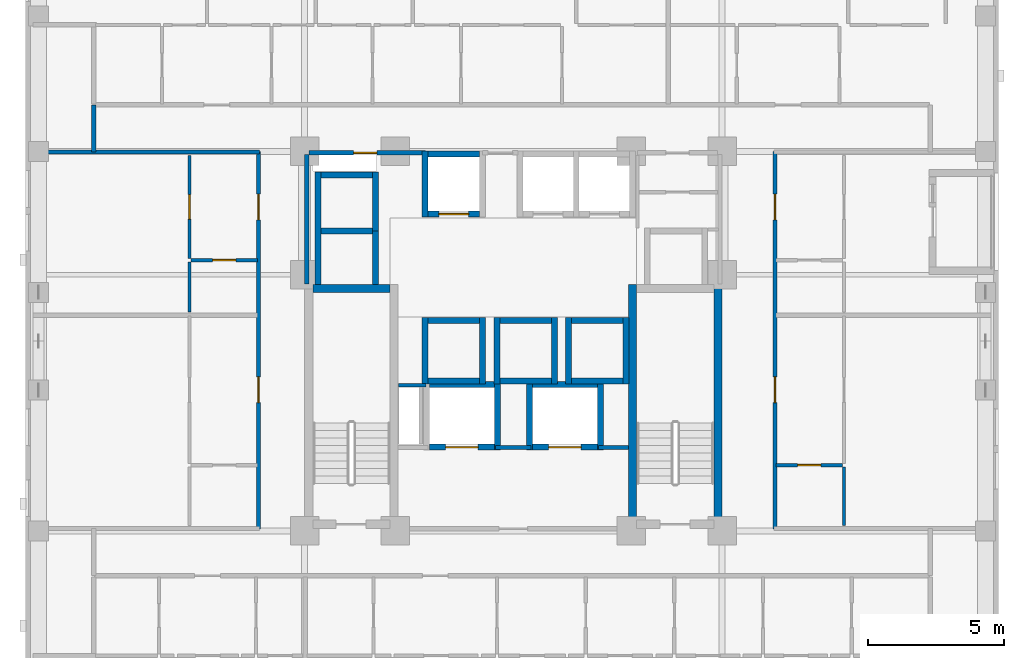
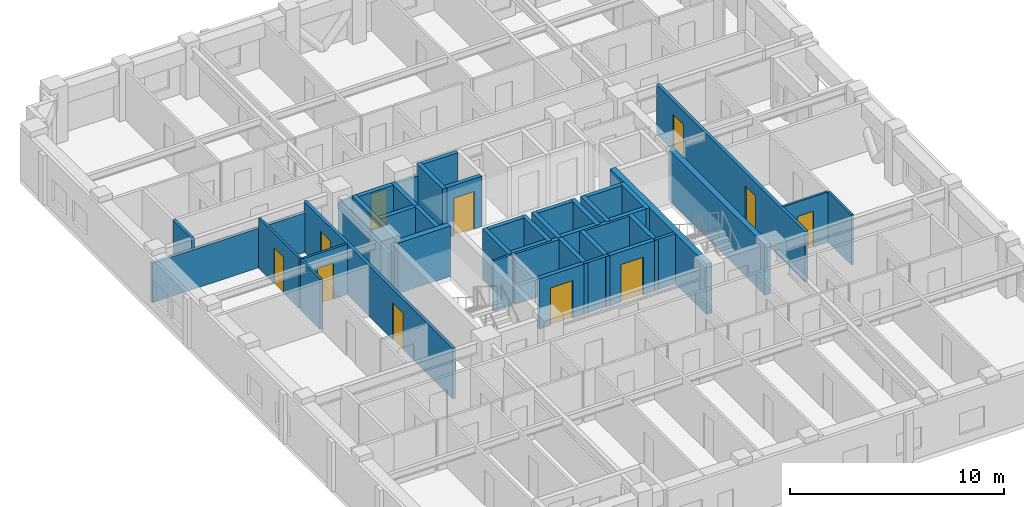
# One storey, part 5 of 12: 44 walls, 11 doors, 11 openings.
"""IFC4 building model written with IfcOpenShell, lengths in metres."""

import ifcopenshell
import ifcopenshell.guid

model = None  # the IFC model being written
_history = None  # IfcOwnerHistory: only IFC2X3 demands one
_inside = {}  # id of a spatial element -> (the spatial element, [elements in it])
_under = {}  # id of a project, library or spatial element -> (it, [spatial elements below it])
_declared = {}  # id of a project -> (the project, [libraries it declares])
_typed = {}  # id of a type object -> (the type object, [elements of that type])
_made_of = {}  # id of a material, layer set ... -> (it, [elements and type objects made of it])


def new_model(schema):
    """Start an empty IFC model of exactly this schema.

    Asked for "IFC4X3", IfcOpenShell would pick the latest addendum, in which some entities
    have other attributes; the version numbers below select the first issue.
    IFC2X3 requires an IfcOwnerHistory on every rooted entity: one is made here for all.
    """
    global model, _history
    if schema == "IFC4X3":
        model = ifcopenshell.file(schema_version=(4, 3, 0, 0))
    else:
        model = ifcopenshell.file(schema=schema)
    _inside.clear()
    _under.clear()
    _declared.clear()
    _typed.clear()
    _made_of.clear()
    _history = None
    if model.schema == "IFC2X3":
        org = make("IfcOrganization", Name="unknown")
        user = make(
            "IfcPersonAndOrganization",
            ThePerson=make("IfcPerson", FamilyName="unknown"),
            TheOrganization=org,
        )
        app = make(
            "IfcApplication",
            ApplicationDeveloper=org,
            Version="unknown",
            ApplicationFullName="unknown",
            ApplicationIdentifier="unknown",
        )
        _history = make(
            "IfcOwnerHistory",
            OwningUser=user,
            OwningApplication=app,
            ChangeAction="ADDED",
            CreationDate=0,
        )
    return model


def make(cls, **values):
    """One entity of the class cls with the attributes given. An attribute that is None is left unset."""
    return model.create_entity(
        cls, **{name: value for name, value in values.items() if value is not None}
    )


def rooted(cls, **values):
    """An entity with a GlobalId (a new one), such as an element, a storey or a relation."""
    return make(cls, GlobalId=ifcopenshell.guid.new(), OwnerHistory=_history, **values)


def si_unit(unit_type, name, prefix=None):
    """IfcSIUnit, for example si_unit("LENGTHUNIT", "METRE", prefix="MILLI")."""
    return make("IfcSIUnit", UnitType=unit_type, Prefix=prefix, Name=name)


def derived_unit(unit_type, elements):
    """IfcDerivedUnit: a product of units, each with its exponent."""
    return make(
        "IfcDerivedUnit",
        Elements=[
            make("IfcDerivedUnitElement", Unit=unit, Exponent=power)
            for unit, power in elements
        ],
        UnitType=unit_type,
    )


def assignment(units):
    """IfcUnitAssignment: the units of a project."""
    return None if units is None else make("IfcUnitAssignment", Units=units)


def point(xyz):
    """IfcCartesianPoint."""
    return None if xyz is None else make("IfcCartesianPoint", Coordinates=xyz)


def direction(xyz):
    """IfcDirection."""
    return None if xyz is None else make("IfcDirection", DirectionRatios=xyz)


def frame(location, z_axis=None, x_axis=None):
    """IfcAxis2Placement3D, a coordinate frame: its origin and axes. An axis left out is left unset."""
    return make(
        "IfcAxis2Placement3D",
        Location=point(location),
        Axis=direction(z_axis),
        RefDirection=direction(x_axis),
    )


def frame_2d(location, x_axis=None):
    """IfcAxis2Placement2D, a coordinate frame in the plane: its origin and x axis."""
    return make(
        "IfcAxis2Placement2D", Location=point(location), RefDirection=direction(x_axis)
    )


def origin():
    """The frame at (0, 0, 0) with its axes left unset."""
    return frame((0.0, 0.0, 0.0))


def place(relative_to, where):
    """IfcLocalPlacement: puts the frame where relative to a parent placement (None: the world)."""
    return make(
        "IfcLocalPlacement", PlacementRelTo=relative_to, RelativePlacement=where
    )


def context(
    kind, dimensions, precision=None, world=None, true_north=None, identifier=None
):
    """IfcGeometricRepresentationContext, for example the 3D "Model" context."""
    return make(
        "IfcGeometricRepresentationContext",
        ContextIdentifier=identifier,
        ContextType=kind,
        CoordinateSpaceDimension=dimensions,
        Precision=precision,
        WorldCoordinateSystem=world,
        TrueNorth=true_north,
    )


def subcontext(parent, identifier, kind, view, scale=None):
    """IfcGeometricRepresentationSubContext, for example "Body" below "Model"."""
    return make(
        "IfcGeometricRepresentationSubContext",
        ContextIdentifier=identifier,
        ContextType=kind,
        ParentContext=parent,
        TargetScale=scale,
        TargetView=view,
    )


def project(units=None, contexts=None):
    """IfcProject with its units and contexts."""
    return rooted(
        "IfcProject",
        Name="project",
        RepresentationContexts=contexts,
        UnitsInContext=assignment(units),
    )


def spatial(cls, under=None, at=None, **own):
    """A site, building, storey or space (cls), placed at a placement, below another one or the project."""
    s = rooted(cls, ObjectPlacement=at, **own)
    if under is not None:
        _under.setdefault(under.id(), (under, []))[1].append(s)
    return s


def profile(cls, at=None, kind="AREA", **sizes):
    """A parametric profile (cls). Its sizes go by their IFC names, for example OverallWidth=200.0."""
    return make(cls, ProfileType=kind, Position=at, **sizes)


def rectangle(**sizes):
    """IfcRectangleProfileDef."""
    return profile("IfcRectangleProfileDef", **sizes)


def extrude(swept, where, along, depth):
    """IfcExtrudedAreaSolid: the profile swept, set in the frame where, extruded along a direction by depth."""
    return make(
        "IfcExtrudedAreaSolid",
        SweptArea=swept,
        Position=where,
        ExtrudedDirection=direction(along),
        Depth=depth,
    )


def shape(context_of_items, identifier, shape_type, items):
    """IfcShapeRepresentation: the items that make up one representation, for example the "Body"."""
    return make(
        "IfcShapeRepresentation",
        ContextOfItems=context_of_items,
        RepresentationIdentifier=identifier,
        RepresentationType=shape_type,
        Items=items,
    )


def material(Name=None, Category=None):
    """IfcMaterial."""
    return make("IfcMaterial", Name=Name, Category=Category)


def layer(
    of_material, thickness, ventilated=None, Name=None, Category=None, Priority=None
):
    """IfcMaterialLayer: one layer of a wall or slab, of a material (None: an air gap)."""
    return make(
        "IfcMaterialLayer",
        Material=of_material,
        LayerThickness=thickness,
        IsVentilated=ventilated,
        Name=Name,
        Category=Category,
        Priority=Priority,
    )


def layer_set(layers, Name=None):
    """IfcMaterialLayerSet."""
    return make("IfcMaterialLayerSet", MaterialLayers=layers, LayerSetName=Name)


def made_of(thing, what):
    """Note that an element or type object is made of a material, layer set ...; save() writes the relation."""
    if what is not None:
        _made_of.setdefault(what.id(), (what, []))[1].append(thing)
    return thing


def type_object(cls, material=None, **own):
    """A type object (cls), such as IfcWallType, which elements share."""
    return made_of(rooted(cls, **own), material)


def element(
    cls,
    number,
    at=None,
    inside=None,
    cuts=None,
    type_object=None,
    material=None,
    context=None,
    identifier="Body",
    shape_type=None,
    held_by="IfcProductDefinitionShape",
    body=None,
    shapes=None,
    **own,
):
    """One element of the class cls, such as IfcWall. Its Tag is "e" and its number.

    at: its placement. inside: the storey or other place that contains it. cuts: it is an
    opening in that element (IfcRelVoidsElement). A single representation is given by context,
    identifier, shape_type and body (its items); several are given by shapes. held_by: the class
    of the entity that holds the representations. save() writes the other relations.
    """
    e = rooted(cls, Tag="e%d" % number, ObjectPlacement=at, **own)
    if body is not None:
        shapes = [shape(context, identifier, shape_type, body)]
    if shapes is not None:
        e.Representation = make(held_by, Representations=shapes)
    if inside is not None:
        _inside.setdefault(inside.id(), (inside, []))[1].append(e)
    if cuts is not None:
        rooted(
            "IfcRelVoidsElement", RelatingBuildingElement=cuts, RelatedOpeningElement=e
        )
    if type_object is not None:
        _typed.setdefault(type_object.id(), (type_object, []))[1].append(e)
    return made_of(e, material)


def fill(opening, filler):
    """IfcRelFillsElement: the door or window that sits in an opening."""
    return rooted(
        "IfcRelFillsElement",
        RelatingOpeningElement=opening,
        RelatedBuildingElement=filler,
    )


def aggregate(whole, parts):
    """IfcRelAggregates: a whole, such as a stair, and the parts it consists of."""
    return rooted("IfcRelAggregates", RelatingObject=whole, RelatedObjects=parts)


def save(model, path):
    """Write the relations noted so far, then the file.

    IfcRelAggregates (storeys below a building ...), IfcRelContainedInSpatialStructure (elements
    in a storey), IfcRelDefinesByType, IfcRelAssociatesMaterial and IfcRelDeclares: one each for
    every whole, place, type object, material and project.
    """
    for whole, parts in _under.values():
        aggregate(whole, parts)
    for where, things in _inside.values():
        rooted(
            "IfcRelContainedInSpatialStructure",
            RelatedElements=things,
            RelatingStructure=where,
        )
    for kind, things in _typed.values():
        rooted("IfcRelDefinesByType", RelatedObjects=things, RelatingType=kind)
    for what, things in _made_of.values():
        rooted("IfcRelAssociatesMaterial", RelatedObjects=things, RelatingMaterial=what)
    for by, libraries in _declared.values():
        rooted("IfcRelDeclares", RelatingContext=by, RelatedDefinitions=libraries)
    model.write(path)


model = new_model("IFC4")

# Units and contexts
model_context = context("Model", 3, precision=1e-05, world=origin(), true_north=direction((0.0, 1.0)))
body_context = subcontext(model_context, "Body", "Model", "MODEL_VIEW")
ifc_project = project(units=[si_unit("LENGTHUNIT", "METRE"), si_unit("AREAUNIT", "SQUARE_METRE"), si_unit("VOLUMEUNIT", "CUBIC_METRE"), si_unit("PLANEANGLEUNIT", "RADIAN"), si_unit("MASSUNIT", "GRAM", prefix="KILO"), derived_unit("THERMALTRANSMITTANCEUNIT", [(si_unit("MASSUNIT", "GRAM", prefix="KILO"), 1), (si_unit("TIMEUNIT", "SECOND"), -3), (si_unit("THERMODYNAMICTEMPERATUREUNIT", "KELVIN"), -1)])], contexts=[model_context])

# Site, building, storey
site_placement = place(None, origin())
site = spatial("IfcSite", under=ifc_project, at=site_placement, CompositionType="ELEMENT")
building_placement = place(site_placement, origin())
building = spatial("IfcBuilding", under=site, at=building_placement, Name="Korrvale Station Residences", CompositionType="ELEMENT")
storey_placement = place(building_placement, frame((0.0, 0.0, 116.699951171875)))
storey = spatial("IfcBuildingStorey", under=building, at=storey_placement, Name="L33", CompositionType="ELEMENT", Elevation=116.699951171875)

# Walls
ifc_material_1 = material(Name="Concrete C60/75", Category="concrete")
ifc_layer_1 = layer(ifc_material_1, 0.300048828125, Name="Concrete C60/75")
ifc_layer_set_1 = layer_set([ifc_layer_1], Name="Concrete C60/75")
wall_type_1 = type_object("IfcWallType", Name="WAL-CORE-300-C60", PredefinedType="SHEAR", material=ifc_layer_set_1)
wall_1_placement = place(storey_placement, frame((18.10009765625, 23.949951171875, 0.0), z_axis=(0.0, 0.0, 1.0), x_axis=(1.0, 0.0, 0.0)))
element("IfcWall", 1, at=wall_1_placement, inside=storey, type_object=wall_type_1, Name="L33 ST-1 Core Shear Wall North", PredefinedType="SHEAR", context=body_context, shape_type="SweptSolid", body=[
    extrude(rectangle(XDim=2.849853515625, YDim=0.300048828125, at=frame_2d((1.4248046875, 0.0))), origin(), (0.0, 0.0, 1.0), 2.880126953125),
])
for number, where, z_axis, x_axis, name in (
    (2, (29.89990234375, 15.10009765625, 0.0), (0.0, 0.0, 1.0), (0.0, 1.0, 0.0), "L33 ST-2 Core Shear Wall West"),
    (3, (33.050048828125, 15.10009765625, 0.0), (0.0, 0.0, 1.0), (0.0, 1.0, 0.0), "L33 ST-2 Core Shear Wall East"),
):
    element("IfcWall", number, at=place(storey_placement, frame(where, z_axis=z_axis, x_axis=x_axis)), inside=storey, type_object=wall_type_1, Name=name, PredefinedType="SHEAR", context=body_context, shape_type="SweptSolid", body=[
        extrude(rectangle(XDim=9.0, YDim=0.300048828125, at=frame_2d((4.5, 0.0))), origin(), (0.0, 0.0, 1.0), 2.880126953125),
    ])
ifc_material_2 = material(Name="Acoustic steel-stud gypsum board partition", Category="steel")
ifc_layer_2 = layer(ifc_material_2, 0.1201171875, Name="Acoustic steel-stud gypsum board partition")
ifc_layer_set_2 = layer_set([ifc_layer_2], Name="Acoustic steel-stud gypsum board partition")
wall_type_2 = type_object("IfcWallType", Name="WAL-PART-125", PredefinedType="PARTITIONING", material=ifc_layer_set_2)
wall_2_placement = place(storey_placement, frame((22.280029296875, 20.3798828125, 0.0), z_axis=(0.0, 0.0, 1.0), x_axis=(-1.0, 0.0, 0.0)))
element("IfcWall", 4, at=wall_2_placement, inside=storey, type_object=wall_type_2, Name="L33 Core Partition CW-RSWT-N", PredefinedType="PARTITIONING", context=body_context, shape_type="SweptSolid", body=[
    extrude(rectangle(XDim=1.02001953125, YDim=0.1201171875, at=frame_2d((0.510009765625, 0.0))), origin(), (0.0, 0.0, 1.0), 2.880126953125),
])

# Wall, opening, door
wall_3_placement = place(storey_placement, frame((13.610107421875, 24.991943359375, 0.0), z_axis=(0.0, 0.0, 1.0), x_axis=(1.0, 0.0, 0.0)))
wall_3 = element("IfcWall", 5, at=wall_3_placement, inside=storey, type_object=wall_type_2, Name="L33 Suite Partition U06-H01", PredefinedType="PARTITIONING", context=body_context, shape_type="SweptSolid", body=[
    extrude(rectangle(XDim=2.449951171875, YDim=0.1201171875, at=frame_2d((1.22509765625, 0.0))), origin(), (0.0, 0.0, 1.0), 2.880126953125),
])
opening_1_placement = place(wall_3_placement, frame((0.794921875, 0.0, 0.0)))
opening_1 = element("IfcOpeningElement", 6, at=opening_1_placement, cuts=wall_3, Name="Opening DB-860", PredefinedType="OPENING", context=body_context, shape_type="SweptSolid", body=[
    extrude(rectangle(XDim=0.860107421875, YDim=2.050048828125, at=frame_2d((0.43017578125, 1.02490234375))), frame((0.0, 0.070068359375, 0.0), z_axis=(0.0, -1.0, 0.0), x_axis=(1.0, 0.0, 0.0)), (0.0, 0.0, 1.0), 0.14013671875),
])
ifc_material_3 = material(Name="Moisture-resistant solid-core bathroom door", Category="timber")
door_type_1 = type_object("IfcDoorType", Name="DR-BATH-860", OperationType="NOTDEFINED", PredefinedType="DOOR", material=ifc_material_3)
door_1_placement = place(opening_1_placement, origin())
door_1 = element("IfcDoor", 7, at=door_1_placement, inside=storey, type_object=door_type_1, Name="L33 Studio Apartment L33-U06 Bathroom Door", OperationType="SINGLE_SWING_LEFT", OverallHeight=2.050048828125, OverallWidth=0.860107421875, PredefinedType="DOOR", context=body_context, shape_type="SweptSolid", body=[
    extrude(rectangle(XDim=0.860107421875, YDim=2.050048828125, at=frame_2d((0.43017578125, 1.02490234375))), frame((0.0, 0.02490234375, 0.0), z_axis=(0.0, -1.0, 0.0), x_axis=(1.0, 0.0, 0.0)), (0.0, 0.0, 1.0), 0.050048828125),
])
fill(opening_1, door_1)

# Wall
wall_4_placement = place(storey_placement, frame((13.550048828125, 23.08203125, 0.0), z_axis=(0.0, 0.0, 1.0), x_axis=(0.0, 1.0, 0.0)))
element("IfcWall", 8, at=wall_4_placement, inside=storey, type_object=wall_type_2, Name="L33 Suite Partition U06-V02", PredefinedType="PARTITIONING", context=body_context, shape_type="SweptSolid", body=[
    extrude(rectangle(XDim=1.849853515625, YDim=0.1201171875, at=frame_2d((0.9248046875, 0.0))), origin(), (0.0, 0.0, 1.0), 2.880126953125),
])

# Wall, opening, door
wall_5_placement = place(storey_placement, frame((13.550048828125, 25.052001953125, 0.0), z_axis=(0.0, 0.0, 1.0), x_axis=(0.0, 1.0, 0.0)))
wall_5 = element("IfcWall", 9, at=wall_5_placement, inside=storey, type_object=wall_type_2, Name="L33 Suite Partition U06-V12", PredefinedType="PARTITIONING", context=body_context, shape_type="SweptSolid", body=[
    extrude(rectangle(XDim=3.80810546875, YDim=0.1201171875, at=frame_2d((1.904052734375, 0.0))), origin(), (0.0, 0.0, 1.0), 2.880126953125),
])
opening_2_placement = place(wall_5_placement, frame((1.4541015625, 0.0, 0.0)))
opening_2 = element("IfcOpeningElement", 10, at=opening_2_placement, cuts=wall_5, Name="Opening DI-900", PredefinedType="OPENING", context=body_context, shape_type="SweptSolid", body=[
    extrude(rectangle(XDim=0.89990234375, YDim=2.050048828125, at=frame_2d((0.449951171875, 1.02490234375))), frame((0.0, 0.070068359375, 0.0), z_axis=(0.0, -1.0, 0.0), x_axis=(1.0, 0.0, 0.0)), (0.0, 0.0, 1.0), 0.14013671875),
])
ifc_material_4 = material(Name="Painted solid-core timber interior room door", Category="wood")
door_type_2 = type_object("IfcDoorType", Name="DR-INT-900", OperationType="NOTDEFINED", PredefinedType="DOOR", material=ifc_material_4)
door_2_placement = place(opening_2_placement, origin())
door_2 = element("IfcDoor", 11, at=door_2_placement, inside=storey, type_object=door_type_2, Name="L33 Studio Apartment L33-U06 Kitchen Door", OperationType="SINGLE_SWING_RIGHT", OverallHeight=2.050048828125, OverallWidth=0.89990234375, PredefinedType="DOOR", context=body_context, shape_type="SweptSolid", body=[
    extrude(rectangle(XDim=0.89990234375, YDim=2.050048828125, at=frame_2d((0.449951171875, 1.02490234375))), frame((0.0, 0.02490234375, 0.0), z_axis=(0.0, -1.0, 0.0), x_axis=(1.0, 0.0, 0.0)), (0.0, 0.0, 1.0), 0.050048828125),
])
fill(opening_2, door_2)

wall_6_placement = place(storey_placement, frame((35.18994140625, 17.428955078125, 0.0), z_axis=(0.0, 0.0, 1.0), x_axis=(1.0, 0.0, 0.0)))
wall_6 = element("IfcWall", 12, at=wall_6_placement, inside=storey, type_object=wall_type_2, Name="L33 Suite Partition U07-H01", PredefinedType="PARTITIONING", context=body_context, shape_type="SweptSolid", body=[
    extrude(rectangle(XDim=2.449951171875, YDim=0.1201171875, at=frame_2d((1.22509765625, 0.0))), origin(), (0.0, 0.0, 1.0), 2.880126953125),
])
opening_3_placement = place(wall_6_placement, frame((0.794921875, 0.0, 0.0)))
opening_3 = element("IfcOpeningElement", 13, at=opening_3_placement, cuts=wall_6, Name="Opening DB-860", PredefinedType="OPENING", context=body_context, shape_type="SweptSolid", body=[
    extrude(rectangle(XDim=0.860107421875, YDim=2.050048828125, at=frame_2d((0.43017578125, 1.02490234375))), frame((0.0, 0.070068359375, 0.0), z_axis=(0.0, -1.0, 0.0), x_axis=(1.0, 0.0, 0.0)), (0.0, 0.0, 1.0), 0.14013671875),
])
door_3_placement = place(opening_3_placement, origin())
door_3 = element("IfcDoor", 14, at=door_3_placement, inside=storey, type_object=door_type_1, Name="L33 Studio Apartment L33-U07 Bathroom Door", OperationType="SINGLE_SWING_LEFT", OverallHeight=2.050048828125, OverallWidth=0.860107421875, PredefinedType="DOOR", context=body_context, shape_type="SweptSolid", body=[
    extrude(rectangle(XDim=0.860107421875, YDim=2.050048828125, at=frame_2d((0.43017578125, 1.02490234375))), frame((0.0, 0.02490234375, 0.0), z_axis=(0.0, -1.0, 0.0), x_axis=(1.0, 0.0, 0.0)), (0.0, 0.0, 1.0), 0.050048828125),
])
fill(opening_3, door_3)

# Walls
wall_7_placement = place(storey_placement, frame((37.699951171875, 15.2099609375, 0.0), z_axis=(0.0, 0.0, 1.0), x_axis=(0.0, 1.0, 0.0)))
element("IfcWall", 15, at=wall_7_placement, inside=storey, type_object=wall_type_2, Name="L33 Suite Partition U07-V02", PredefinedType="PARTITIONING", context=body_context, shape_type="SweptSolid", body=[
    extrude(rectangle(XDim=2.158935546875, YDim=0.1201171875, at=frame_2d((1.07958984375, 0.0))), origin(), (0.0, 0.0, 1.0), 2.880126953125),
])
ifc_material_5 = material(Name="Fire-rated twin-stud gypsum and mineral wool shaftwall assembly", Category="gypsum")
ifc_layer_3 = layer(ifc_material_5, 0.159912109375, Name="Fire-rated twin-stud gypsum and mineral wool shaftwall assembly")
ifc_layer_set_3 = layer_set([ifc_layer_3], Name="Fire-rated twin-stud gypsum and mineral wool shaftwall assembly")
wall_type_3 = type_object("IfcWallType", Name="WAL-PART-200", PredefinedType="PARTITIONING", material=ifc_layer_set_3)
wall_8_placement = place(storey_placement, frame((24.85009765625, 18.080078125, 0.0), z_axis=(0.0, 0.0, 1.0), x_axis=(1.0, 0.0, 0.0)))
element("IfcWall", 16, at=wall_8_placement, inside=storey, type_object=wall_type_3, Name="L33 Core Partition CW-FFL-N2", PredefinedType="PARTITIONING", context=body_context, shape_type="SweptSolid", body=[
    extrude(rectangle(XDim=1.2998046875, YDim=0.159912109375, at=frame_2d((0.64990234375, 0.0))), origin(), (0.0, 0.0, 1.0), 2.880126953125),
])
wall_9_placement = place(storey_placement, frame((28.64990234375, 18.080078125, 0.0), z_axis=(0.0, 0.0, 1.0), x_axis=(1.0, 0.0, 0.0)))
element("IfcWall", 17, at=wall_9_placement, inside=storey, type_object=wall_type_3, Name="L33 Core Partition CW-FFL-N3", PredefinedType="PARTITIONING", context=body_context, shape_type="SweptSolid", body=[
    extrude(rectangle(XDim=1.10009765625, YDim=0.159912109375, at=frame_2d((0.550048828125, 0.0))), origin(), (0.0, 0.0, 1.0), 2.880126953125),
])
wall_10_placement = place(storey_placement, frame((17.8798828125, 24.1201171875, 0.0), z_axis=(0.0, 0.0, 1.0), x_axis=(0.0, 1.0, 0.0)))
element("IfcWall", 18, at=wall_10_placement, inside=storey, type_object=wall_type_3, Name="L33 Core Partition CW-W-N", PredefinedType="PARTITIONING", context=body_context, shape_type="SweptSolid", body=[
    extrude(rectangle(XDim=4.759765625, YDim=0.159912109375, at=frame_2d((2.3798828125, 0.0))), origin(), (0.0, 0.0, 1.0), 2.215087890625),
])

# Wall, opening, door
wall_11_placement = place(storey_placement, frame((17.9599609375, 28.949951171875, 0.0), z_axis=(0.0, 0.0, 1.0), x_axis=(1.0, 0.0, 0.0)))
wall_11 = element("IfcWall", 19, at=wall_11_placement, inside=storey, type_object=wall_type_3, Name="L33 Core Partition CW-NW", PredefinedType="PARTITIONING", context=body_context, shape_type="SweptSolid", body=[
    extrude(rectangle(XDim=4.2900390625, YDim=0.159912109375, at=frame_2d((2.14501953125, 0.0))), origin(), (0.0, 0.0, 1.0), 2.2529296875),
])
opening_4_placement = place(wall_11_placement, frame((1.64501953125, 0.0, 0.0)))
opening_4 = element("IfcOpeningElement", 20, at=opening_4_placement, cuts=wall_11, Name="Opening DB-860", PredefinedType="OPENING", context=body_context, shape_type="SweptSolid", body=[
    extrude(rectangle(XDim=0.860107421875, YDim=2.050048828125, at=frame_2d((0.43017578125, 1.02490234375))), frame((0.0, 0.08984375, 0.0), z_axis=(0.0, -1.0, 0.0), x_axis=(1.0, 0.0, 0.0)), (0.0, 0.0, 1.0), 0.179931640625),
])
door_4_placement = place(opening_4_placement, origin())
door_4 = element("IfcDoor", 21, at=door_4_placement, inside=storey, type_object=door_type_1, Name="L33 Electrical Riser Access Door", OperationType="SINGLE_SWING_LEFT", OverallHeight=2.050048828125, OverallWidth=0.860107421875, PredefinedType="DOOR", context=body_context, shape_type="SweptSolid", body=[
    extrude(rectangle(XDim=0.860107421875, YDim=2.050048828125, at=frame_2d((0.43017578125, 1.02490234375))), frame((0.0, 0.02490234375, 0.0), z_axis=(0.0, -1.0, 0.0), x_axis=(1.0, 0.0, 0.0)), (0.0, 0.0, 1.0), 0.050048828125),
])
fill(opening_4, door_4)

# Walls
wall_12_placement = place(storey_placement, frame((10.02001953125, 28.97998046875, 0.0), z_axis=(0.0, 0.0, 1.0), x_axis=(0.0, 1.0, 0.0)))
element("IfcWall", 22, at=wall_12_placement, inside=storey, type_object=wall_type_3, Name="L33 Corridor North West Cap", PredefinedType="PARTITIONING", context=body_context, shape_type="SweptSolid", body=[
    extrude(rectangle(XDim=1.739990234375, YDim=0.159912109375, at=frame_2d((0.8701171875, 0.0))), origin(), (0.0, 0.0, 1.0), 2.880126953125),
])
wall_13_placement = place(storey_placement, frame((7.780029296875, 28.97998046875, 0.0), z_axis=(0.0, 0.0, 1.0), x_axis=(1.0, 0.0, 0.0)))
element("IfcWall", 23, at=wall_13_placement, inside=storey, type_object=wall_type_3, Name="L33 West Wing North Corridor Wall", PredefinedType="PARTITIONING", context=body_context, shape_type="SweptSolid", body=[
    extrude(rectangle(XDim=8.35986328125, YDim=0.159912109375, at=frame_2d((4.179931640625, 0.0))), origin(), (0.0, 0.0, 1.0), 2.2529296875),
])

# Wall, openings, doors
wall_14_placement = place(storey_placement, frame((16.10009765625, 15.070068359375, 0.0), z_axis=(0.0, 0.0, 1.0), x_axis=(0.0, 1.0, 0.0)))
wall_14 = element("IfcWall", 24, at=wall_14_placement, inside=storey, type_object=wall_type_3, Name="L33 Rated Corridor Wall W", PredefinedType="PARTITIONING", context=body_context, shape_type="SweptSolid", body=[
    extrude(rectangle(XDim=13.929931640625, YDim=0.159912109375, at=frame_2d((6.96484375, 0.0))), origin(), (0.0, 0.0, 1.0), 2.880126953125),
])
opening_5_placement = place(wall_14_placement, frame((4.660888671875, 0.0, 0.0)))
opening_5 = element("IfcOpeningElement", 25, at=opening_5_placement, cuts=wall_14, Name="Opening UD-950", PredefinedType="OPENING", context=body_context, shape_type="SweptSolid", body=[
    extrude(rectangle(XDim=0.949951171875, YDim=2.10009765625, at=frame_2d((0.47509765625, 1.050048828125))), frame((0.0, 0.08984375, 0.0), z_axis=(0.0, -1.0, 0.0), x_axis=(1.0, 0.0, 0.0)), (0.0, 0.0, 1.0), 0.179931640625),
])
opening_6_placement = place(wall_14_placement, frame((11.410888671875, 0.0, 0.0)))
opening_6 = element("IfcOpeningElement", 26, at=opening_6_placement, cuts=wall_14, Name="Opening UD-950", PredefinedType="OPENING", context=body_context, shape_type="SweptSolid", body=[
    extrude(rectangle(XDim=0.949951171875, YDim=2.10009765625, at=frame_2d((0.47509765625, 1.050048828125))), frame((0.0, 0.08984375, 0.0), z_axis=(0.0, -1.0, 0.0), x_axis=(1.0, 0.0, 0.0)), (0.0, 0.0, 1.0), 0.179931640625),
])
ifc_material_6 = material(Name="Solid-core acoustic oak apartment entrance door", Category="timber")
door_type_3 = type_object("IfcDoorType", Name="DR-UNIT-950", OperationType="NOTDEFINED", PredefinedType="DOOR", material=ifc_material_6)
door_5_placement = place(opening_5_placement, origin())
door_5 = element("IfcDoor", 27, at=door_5_placement, inside=storey, type_object=door_type_3, Name="L33 Apartment L33-U05 Entrance Door", OperationType="SINGLE_SWING_LEFT", OverallHeight=2.10009765625, OverallWidth=0.949951171875, PredefinedType="DOOR", context=body_context, shape_type="SweptSolid", body=[
    extrude(rectangle(XDim=0.949951171875, YDim=2.10009765625, at=frame_2d((0.47509765625, 1.050048828125))), frame((0.0, 0.02490234375, 0.0), z_axis=(0.0, -1.0, 0.0), x_axis=(1.0, 0.0, 0.0)), (0.0, 0.0, 1.0), 0.050048828125),
])
fill(opening_5, door_5)
door_6_placement = place(opening_6_placement, origin())
door_6 = element("IfcDoor", 28, at=door_6_placement, inside=storey, type_object=door_type_3, Name="L33 Apartment L33-U06 Entrance Door", OperationType="SINGLE_SWING_RIGHT", OverallHeight=2.10009765625, OverallWidth=0.949951171875, PredefinedType="DOOR", context=body_context, shape_type="SweptSolid", body=[
    extrude(rectangle(XDim=0.949951171875, YDim=2.10009765625, at=frame_2d((0.47509765625, 1.050048828125))), frame((0.0, 0.02490234375, 0.0), z_axis=(0.0, -1.0, 0.0), x_axis=(1.0, 0.0, 0.0)), (0.0, 0.0, 1.0), 0.050048828125),
])
fill(opening_6, door_6)

wall_15_placement = place(storey_placement, frame((35.14990234375, 15.070068359375, 0.0), z_axis=(0.0, 0.0, 1.0), x_axis=(0.0, 1.0, 0.0)))
wall_15 = element("IfcWall", 29, at=wall_15_placement, inside=storey, type_object=wall_type_3, Name="L33 Rated Corridor Wall E", PredefinedType="PARTITIONING", context=body_context, shape_type="SweptSolid", body=[
    extrude(rectangle(XDim=13.929931640625, YDim=0.159912109375, at=frame_2d((6.96484375, 0.0))), origin(), (0.0, 0.0, 1.0), 2.880126953125),
])
opening_7_placement = place(wall_15_placement, frame((4.660888671875, 0.0, 0.0)))
opening_7 = element("IfcOpeningElement", 30, at=opening_7_placement, cuts=wall_15, Name="Opening UD-950", PredefinedType="OPENING", context=body_context, shape_type="SweptSolid", body=[
    extrude(rectangle(XDim=0.949951171875, YDim=2.10009765625, at=frame_2d((0.47509765625, 1.050048828125))), frame((0.0, 0.08984375, 0.0), z_axis=(0.0, -1.0, 0.0), x_axis=(1.0, 0.0, 0.0)), (0.0, 0.0, 1.0), 0.179931640625),
])
opening_8_placement = place(wall_15_placement, frame((11.410888671875, 0.0, 0.0)))
opening_8 = element("IfcOpeningElement", 31, at=opening_8_placement, cuts=wall_15, Name="Opening UD-950", PredefinedType="OPENING", context=body_context, shape_type="SweptSolid", body=[
    extrude(rectangle(XDim=0.949951171875, YDim=2.10009765625, at=frame_2d((0.47509765625, 1.050048828125))), frame((0.0, 0.08984375, 0.0), z_axis=(0.0, -1.0, 0.0), x_axis=(1.0, 0.0, 0.0)), (0.0, 0.0, 1.0), 0.179931640625),
])
door_7_placement = place(opening_7_placement, origin())
door_7 = element("IfcDoor", 32, at=door_7_placement, inside=storey, type_object=door_type_3, Name="L33 Apartment L33-U07 Entrance Door", OperationType="SINGLE_SWING_LEFT", OverallHeight=2.10009765625, OverallWidth=0.949951171875, PredefinedType="DOOR", context=body_context, shape_type="SweptSolid", body=[
    extrude(rectangle(XDim=0.949951171875, YDim=2.10009765625, at=frame_2d((0.47509765625, 1.050048828125))), frame((0.0, 0.02490234375, 0.0), z_axis=(0.0, -1.0, 0.0), x_axis=(1.0, 0.0, 0.0)), (0.0, 0.0, 1.0), 0.050048828125),
])
fill(opening_7, door_7)
door_8_placement = place(opening_8_placement, origin())
door_8 = element("IfcDoor", 33, at=door_8_placement, inside=storey, type_object=door_type_3, Name="L33 Apartment L33-U08 Entrance Door", OperationType="SINGLE_SWING_RIGHT", OverallHeight=2.10009765625, OverallWidth=0.949951171875, PredefinedType="DOOR", context=body_context, shape_type="SweptSolid", body=[
    extrude(rectangle(XDim=0.949951171875, YDim=2.10009765625, at=frame_2d((0.47509765625, 1.050048828125))), frame((0.0, 0.02490234375, 0.0), z_axis=(0.0, -1.0, 0.0), x_axis=(1.0, 0.0, 0.0)), (0.0, 0.0, 1.0), 0.050048828125),
])
fill(opening_8, door_8)

# Wall, opening, door
ifc_layer_4 = layer(ifc_material_1, 0.219970703125, Name="Concrete C60/75")
ifc_layer_set_4 = layer_set([ifc_layer_4], Name="Concrete C60/75")
wall_type_4 = type_object("IfcWallType", Name="WAL-SHAFT-220-C60", PredefinedType="SHEAR", material=ifc_layer_set_4)
wall_16_placement = place(storey_placement, frame((22.35009765625, 26.68994140625, 0.0), z_axis=(0.0, 0.0, 1.0), x_axis=(1.0, 0.0, 0.0)))
wall_16 = element("IfcWall", 34, at=wall_16_placement, inside=storey, type_object=wall_type_4, Name="L33 Elevator PL-1 Hoistway Wall South", PredefinedType="SHEAR", context=body_context, shape_type="SweptSolid", body=[
    extrude(rectangle(XDim=1.89990234375, YDim=0.219970703125, at=frame_2d((0.949951171875, 0.0))), origin(), (0.0, 0.0, 1.0), 2.880126953125),
])
opening_9_placement = place(wall_16_placement, frame((0.39990234375, 0.0, 0.0)))
opening_9 = element("IfcOpeningElement", 35, at=opening_9_placement, cuts=wall_16, Name="Opening LD-1100", PredefinedType="OPENING", context=body_context, shape_type="SweptSolid", body=[
    extrude(rectangle(XDim=1.10009765625, YDim=2.14990234375, at=frame_2d((0.550048828125, 1.074951171875))), frame((0.0, 0.1201171875, 0.0), z_axis=(0.0, -1.0, 0.0), x_axis=(1.0, 0.0, 0.0)), (0.0, 0.0, 1.0), 0.239990234375),
])
ifc_material_7 = material(Name="Brushed stainless-steel elevator landing sliding door", Category="steel")
door_type_4 = type_object("IfcDoorType", Name="DR-LIFT-1100", OperationType="SLIDING_TO_LEFT", PredefinedType="DOOR", material=ifc_material_7)
door_9_placement = place(opening_9_placement, origin())
door_9 = element("IfcDoor", 36, at=door_9_placement, inside=storey, type_object=door_type_4, Name="L33 Elevator PL-1 Sliding Landing Door", OperationType="SLIDING_TO_LEFT", OverallHeight=2.14990234375, OverallWidth=1.10009765625, PredefinedType="DOOR", context=body_context, shape_type="SweptSolid", body=[
    extrude(rectangle(XDim=1.10009765625, YDim=2.14990234375, at=frame_2d((0.550048828125, 1.074951171875))), frame((0.0, 0.02490234375, 0.0), z_axis=(0.0, -1.0, 0.0), x_axis=(1.0, 0.0, 0.0)), (0.0, 0.0, 1.0), 0.050048828125),
])
fill(opening_9, door_9)

# Walls
wall_17_placement = place(storey_placement, frame((22.35009765625, 28.909912109375, 0.0), z_axis=(0.0, 0.0, 1.0), x_axis=(1.0, 0.0, 0.0)))
element("IfcWall", 37, at=wall_17_placement, inside=storey, type_object=wall_type_4, Name="L33 Elevator PL-1 Hoistway Wall North", PredefinedType="SHEAR", context=body_context, shape_type="SweptSolid", body=[
    extrude(rectangle(XDim=1.89990234375, YDim=0.219970703125, at=frame_2d((0.949951171875, 0.0))), origin(), (0.0, 0.0, 1.0), 2.880126953125),
])
wall_18_placement = place(storey_placement, frame((22.239990234375, 26.580078125, 0.0), z_axis=(0.0, 0.0, 1.0), x_axis=(0.0, 1.0, 0.0)))
element("IfcWall", 38, at=wall_18_placement, inside=storey, type_object=wall_type_4, Name="L33 Elevator PL-1 Hoistway Wall West", PredefinedType="SHEAR", context=body_context, shape_type="SweptSolid", body=[
    extrude(rectangle(XDim=2.43994140625, YDim=0.219970703125, at=frame_2d((1.219970703125, 0.0))), origin(), (0.0, 0.0, 1.0), 2.880126953125),
])
for number, where, z_axis, x_axis, name in (
    (39, (22.35009765625, 20.5400390625, 0.0), (0.0, 0.0, 1.0), (1.0, 0.0, 0.0), "L33 Elevator PM-1 Hoistway Wall South"),
    (40, (22.35009765625, 22.760009765625, 0.0), (0.0, 0.0, 1.0), (1.0, 0.0, 0.0), "L33 Elevator PM-1 Hoistway Wall North"),
):
    element("IfcWall", number, at=place(storey_placement, frame(where, z_axis=z_axis, x_axis=x_axis)), inside=storey, type_object=wall_type_4, Name=name, PredefinedType="SHEAR", context=body_context, shape_type="SweptSolid", body=[
        extrude(rectangle(XDim=1.89990234375, YDim=0.219970703125, at=frame_2d((0.949951171875, 0.0))), origin(), (0.0, 0.0, 1.0), 2.880126953125),
    ])
for number, where, z_axis, x_axis, name in (
    (41, (22.239990234375, 20.429931640625, 0.0), (0.0, 0.0, 1.0), (0.0, 1.0, 0.0), "L33 Elevator PM-1 Hoistway Wall West"),
    (42, (24.360107421875, 20.429931640625, 0.0), (0.0, 0.0, 1.0), (0.0, 1.0, 0.0), "L33 Elevator PM-1 Hoistway Wall East"),
):
    element("IfcWall", number, at=place(storey_placement, frame(where, z_axis=z_axis, x_axis=x_axis)), inside=storey, type_object=wall_type_4, Name=name, PredefinedType="SHEAR", context=body_context, shape_type="SweptSolid", body=[
        extrude(rectangle(XDim=2.440185546875, YDim=0.219970703125, at=frame_2d((1.22021484375, 0.0))), origin(), (0.0, 0.0, 1.0), 2.880126953125),
    ])
for number, where, z_axis, x_axis, name in (
    (43, (25.0, 20.5400390625, 0.0), (0.0, 0.0, 1.0), (1.0, 0.0, 0.0), "L33 Elevator PM-2 Hoistway Wall South"),
    (44, (25.0, 22.760009765625, 0.0), (0.0, 0.0, 1.0), (1.0, 0.0, 0.0), "L33 Elevator PM-2 Hoistway Wall North"),
):
    element("IfcWall", number, at=place(storey_placement, frame(where, z_axis=z_axis, x_axis=x_axis)), inside=storey, type_object=wall_type_4, Name=name, PredefinedType="SHEAR", context=body_context, shape_type="SweptSolid", body=[
        extrude(rectangle(XDim=1.89990234375, YDim=0.219970703125, at=frame_2d((0.949951171875, 0.0))), origin(), (0.0, 0.0, 1.0), 2.880126953125),
    ])
for number, where, z_axis, x_axis, name in (
    (45, (24.889892578125, 20.429931640625, 0.0), (0.0, 0.0, 1.0), (0.0, 1.0, 0.0), "L33 Elevator PM-2 Hoistway Wall West"),
    (46, (27.010009765625, 20.429931640625, 0.0), (0.0, 0.0, 1.0), (0.0, 1.0, 0.0), "L33 Elevator PM-2 Hoistway Wall East"),
):
    element("IfcWall", number, at=place(storey_placement, frame(where, z_axis=z_axis, x_axis=x_axis)), inside=storey, type_object=wall_type_4, Name=name, PredefinedType="SHEAR", context=body_context, shape_type="SweptSolid", body=[
        extrude(rectangle(XDim=2.440185546875, YDim=0.219970703125, at=frame_2d((1.22021484375, 0.0))), origin(), (0.0, 0.0, 1.0), 2.880126953125),
    ])
for number, where, z_axis, x_axis, name in (
    (47, (27.64990234375, 20.5400390625, 0.0), (0.0, 0.0, 1.0), (1.0, 0.0, 0.0), "L33 Elevator PM-3 Hoistway Wall South"),
    (48, (27.64990234375, 22.760009765625, 0.0), (0.0, 0.0, 1.0), (1.0, 0.0, 0.0), "L33 Elevator PM-3 Hoistway Wall North"),
):
    element("IfcWall", number, at=place(storey_placement, frame(where, z_axis=z_axis, x_axis=x_axis)), inside=storey, type_object=wall_type_4, Name=name, PredefinedType="SHEAR", context=body_context, shape_type="SweptSolid", body=[
        extrude(rectangle(XDim=1.900146484375, YDim=0.219970703125, at=frame_2d((0.9501953125, 0.0))), origin(), (0.0, 0.0, 1.0), 2.880126953125),
    ])
for number, where, z_axis, x_axis, name in (
    (49, (27.5400390625, 20.429931640625, 0.0), (0.0, 0.0, 1.0), (0.0, 1.0, 0.0), "L33 Elevator PM-3 Hoistway Wall West"),
    (50, (29.659912109375, 20.429931640625, 0.0), (0.0, 0.0, 1.0), (0.0, 1.0, 0.0), "L33 Elevator PM-3 Hoistway Wall East"),
):
    element("IfcWall", number, at=place(storey_placement, frame(where, z_axis=z_axis, x_axis=x_axis)), inside=storey, type_object=wall_type_4, Name=name, PredefinedType="SHEAR", context=body_context, shape_type="SweptSolid", body=[
        extrude(rectangle(XDim=2.440185546875, YDim=0.219970703125, at=frame_2d((1.22021484375, 0.0))), origin(), (0.0, 0.0, 1.0), 2.880126953125),
    ])
wall_19_placement = place(storey_placement, frame((18.2900390625, 24.10009765625, 0.0), z_axis=(0.0, 0.0, 1.0), x_axis=(0.0, 1.0, 0.0)))
element("IfcWall", 51, at=wall_19_placement, inside=storey, type_object=wall_type_4, Name="L33 Elevator PH-1 Hoistway Wall West", PredefinedType="SHEAR", context=body_context, shape_type="SweptSolid", body=[
    extrude(rectangle(XDim=4.139892578125, YDim=0.219970703125, at=frame_2d((2.06982421875, 0.0))), origin(), (0.0, 0.0, 1.0), 2.880126953125),
])
wall_20_placement = place(storey_placement, frame((20.409912109375, 24.10009765625, 0.0), z_axis=(0.0, 0.0, 1.0), x_axis=(0.0, 1.0, 0.0)))
element("IfcWall", 52, at=wall_20_placement, inside=storey, type_object=wall_type_4, Name="L33 Elevator PH-1 Hoistway Wall East", PredefinedType="SHEAR", context=body_context, shape_type="SweptSolid", body=[
    extrude(rectangle(XDim=1.9599609375, YDim=0.219970703125, at=frame_2d((0.97998046875, 0.0))), origin(), (0.0, 0.0, 1.0), 2.880126953125),
])
for number, where, z_axis, x_axis, name in (
    (53, (18.39990234375, 26.06005859375, 0.0), (0.0, 0.0, 1.0), (1.0, 0.0, 0.0), "L33 Elevator PH-2 Hoistway Wall South"),
    (54, (18.39990234375, 28.1298828125, 0.0), (0.0, 0.0, 1.0), (1.0, 0.0, 0.0), "L33 Elevator PH-2 Hoistway Wall North"),
):
    element("IfcWall", number, at=place(storey_placement, frame(where, z_axis=z_axis, x_axis=x_axis)), inside=storey, type_object=wall_type_4, Name=name, PredefinedType="SHEAR", context=body_context, shape_type="SweptSolid", body=[
        extrude(rectangle(XDim=1.900146484375, YDim=0.219970703125, at=frame_2d((0.9501953125, 0.0))), origin(), (0.0, 0.0, 1.0), 2.880126953125),
    ])
wall_21_placement = place(storey_placement, frame((20.409912109375, 26.06005859375, 0.0), z_axis=(0.0, 0.0, 1.0), x_axis=(0.0, 1.0, 0.0)))
element("IfcWall", 55, at=wall_21_placement, inside=storey, type_object=wall_type_4, Name="L33 Elevator PH-2 Hoistway Wall East", PredefinedType="SHEAR", context=body_context, shape_type="SweptSolid", body=[
    extrude(rectangle(XDim=2.179931640625, YDim=0.219970703125, at=frame_2d((1.08984375, 0.0))), origin(), (0.0, 0.0, 1.0), 2.880126953125),
])

# Wall, opening, door
wall_22_placement = place(storey_placement, frame((22.39990234375, 18.090087890625, 0.0), z_axis=(0.0, 0.0, 1.0), x_axis=(1.0, 0.0, 0.0)))
wall_22 = element("IfcWall", 56, at=wall_22_placement, inside=storey, type_object=wall_type_4, Name="L33 Elevator FFL-1 Hoistway Wall South", PredefinedType="SHEAR", context=body_context, shape_type="SweptSolid", body=[
    extrude(rectangle(XDim=2.400146484375, YDim=0.219970703125, at=frame_2d((1.2001953125, 0.0))), origin(), (0.0, 0.0, 1.0), 2.880126953125),
])
opening_10_placement = place(wall_22_placement, frame((0.60009765625, 0.0, 0.0)))
opening_10 = element("IfcOpeningElement", 57, at=opening_10_placement, cuts=wall_22, Name="Opening LD-FF1200", PredefinedType="OPENING", context=body_context, shape_type="SweptSolid", body=[
    extrude(rectangle(XDim=1.199951171875, YDim=2.14990234375, at=frame_2d((0.60009765625, 1.074951171875))), frame((0.0, 0.1201171875, 0.0), z_axis=(0.0, -1.0, 0.0), x_axis=(1.0, 0.0, 0.0)), (0.0, 0.0, 1.0), 0.239990234375),
])
ifc_material_8 = material(Name="Stainless-steel firefighter elevator landing sliding door", Category="steel")
door_type_5 = type_object("IfcDoorType", Name="DR-LIFT-FF1200", OperationType="SLIDING_TO_LEFT", PredefinedType="DOOR", material=ifc_material_8)
door_10_placement = place(opening_10_placement, origin())
door_10 = element("IfcDoor", 58, at=door_10_placement, inside=storey, type_object=door_type_5, Name="L33 Elevator FFL-1 Sliding Landing Door", OperationType="SLIDING_TO_LEFT", OverallHeight=2.14990234375, OverallWidth=1.199951171875, PredefinedType="DOOR", context=body_context, shape_type="SweptSolid", body=[
    extrude(rectangle(XDim=1.199951171875, YDim=2.14990234375, at=frame_2d((0.60009765625, 1.074951171875))), frame((0.0, 0.02490234375, 0.0), z_axis=(0.0, -1.0, 0.0), x_axis=(1.0, 0.0, 0.0)), (0.0, 0.0, 1.0), 0.050048828125),
])
fill(opening_10, door_10)

# Walls
wall_23_placement = place(storey_placement, frame((22.39990234375, 20.409912109375, 0.0), z_axis=(0.0, 0.0, 1.0), x_axis=(1.0, 0.0, 0.0)))
element("IfcWall", 59, at=wall_23_placement, inside=storey, type_object=wall_type_4, Name="L33 Elevator FFL-1 Hoistway Wall North", PredefinedType="SHEAR", context=body_context, shape_type="SweptSolid", body=[
    extrude(rectangle(XDim=2.400146484375, YDim=0.219970703125, at=frame_2d((1.2001953125, 0.0))), origin(), (0.0, 0.0, 1.0), 2.880126953125),
])
wall_24_placement = place(storey_placement, frame((24.909912109375, 17.97998046875, 0.0), z_axis=(0.0, 0.0, 1.0), x_axis=(0.0, 1.0, 0.0)))
element("IfcWall", 60, at=wall_24_placement, inside=storey, type_object=wall_type_4, Name="L33 Elevator FFL-1 Hoistway Wall East", PredefinedType="SHEAR", context=body_context, shape_type="SweptSolid", body=[
    extrude(rectangle(XDim=2.5400390625, YDim=0.219970703125, at=frame_2d((1.27001953125, 0.0))), origin(), (0.0, 0.0, 1.0), 2.880126953125),
])

# Wall, opening, door
wall_25_placement = place(storey_placement, frame((26.199951171875, 18.090087890625, 0.0), z_axis=(0.0, 0.0, 1.0), x_axis=(1.0, 0.0, 0.0)))
wall_25 = element("IfcWall", 61, at=wall_25_placement, inside=storey, type_object=wall_type_4, Name="L33 Elevator FFL-2 Hoistway Wall South", PredefinedType="SHEAR", context=body_context, shape_type="SweptSolid", body=[
    extrude(rectangle(XDim=2.400146484375, YDim=0.219970703125, at=frame_2d((1.2001953125, 0.0))), origin(), (0.0, 0.0, 1.0), 2.880126953125),
])
opening_11_placement = place(wall_25_placement, frame((0.60009765625, 0.0, 0.0)))
opening_11 = element("IfcOpeningElement", 62, at=opening_11_placement, cuts=wall_25, Name="Opening LD-FF1200", PredefinedType="OPENING", context=body_context, shape_type="SweptSolid", body=[
    extrude(rectangle(XDim=1.199951171875, YDim=2.14990234375, at=frame_2d((0.60009765625, 1.074951171875))), frame((0.0, 0.1201171875, 0.0), z_axis=(0.0, -1.0, 0.0), x_axis=(1.0, 0.0, 0.0)), (0.0, 0.0, 1.0), 0.239990234375),
])
door_11_placement = place(opening_11_placement, origin())
door_11 = element("IfcDoor", 63, at=door_11_placement, inside=storey, type_object=door_type_5, Name="L33 Elevator FFL-2 Sliding Landing Door", OperationType="SLIDING_TO_LEFT", OverallHeight=2.14990234375, OverallWidth=1.199951171875, PredefinedType="DOOR", context=body_context, shape_type="SweptSolid", body=[
    extrude(rectangle(XDim=1.199951171875, YDim=2.14990234375, at=frame_2d((0.60009765625, 1.074951171875))), frame((0.0, 0.02490234375, 0.0), z_axis=(0.0, -1.0, 0.0), x_axis=(1.0, 0.0, 0.0)), (0.0, 0.0, 1.0), 0.050048828125),
])
fill(opening_11, door_11)

# Walls
wall_26_placement = place(storey_placement, frame((26.199951171875, 20.409912109375, 0.0), z_axis=(0.0, 0.0, 1.0), x_axis=(1.0, 0.0, 0.0)))
element("IfcWall", 64, at=wall_26_placement, inside=storey, type_object=wall_type_4, Name="L33 Elevator FFL-2 Hoistway Wall North", PredefinedType="SHEAR", context=body_context, shape_type="SweptSolid", body=[
    extrude(rectangle(XDim=2.400146484375, YDim=0.219970703125, at=frame_2d((1.2001953125, 0.0))), origin(), (0.0, 0.0, 1.0), 2.880126953125),
])
for number, where, z_axis, x_axis, name in (
    (65, (26.090087890625, 17.97998046875, 0.0), (0.0, 0.0, 1.0), (0.0, 1.0, 0.0), "L33 Elevator FFL-2 Hoistway Wall West"),
    (66, (28.7099609375, 17.97998046875, 0.0), (0.0, 0.0, 1.0), (0.0, 1.0, 0.0), "L33 Elevator FFL-2 Hoistway Wall East"),
):
    element("IfcWall", number, at=place(storey_placement, frame(where, z_axis=z_axis, x_axis=x_axis)), inside=storey, type_object=wall_type_4, Name=name, PredefinedType="SHEAR", context=body_context, shape_type="SweptSolid", body=[
        extrude(rectangle(XDim=2.5400390625, YDim=0.219970703125, at=frame_2d((1.27001953125, 0.0))), origin(), (0.0, 0.0, 1.0), 2.880126953125),
    ])

save(model, "model.ifc")
